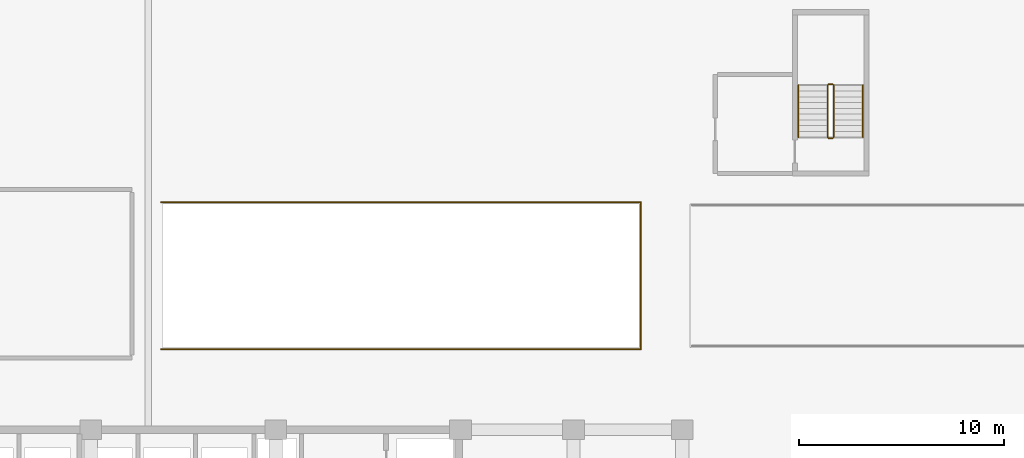
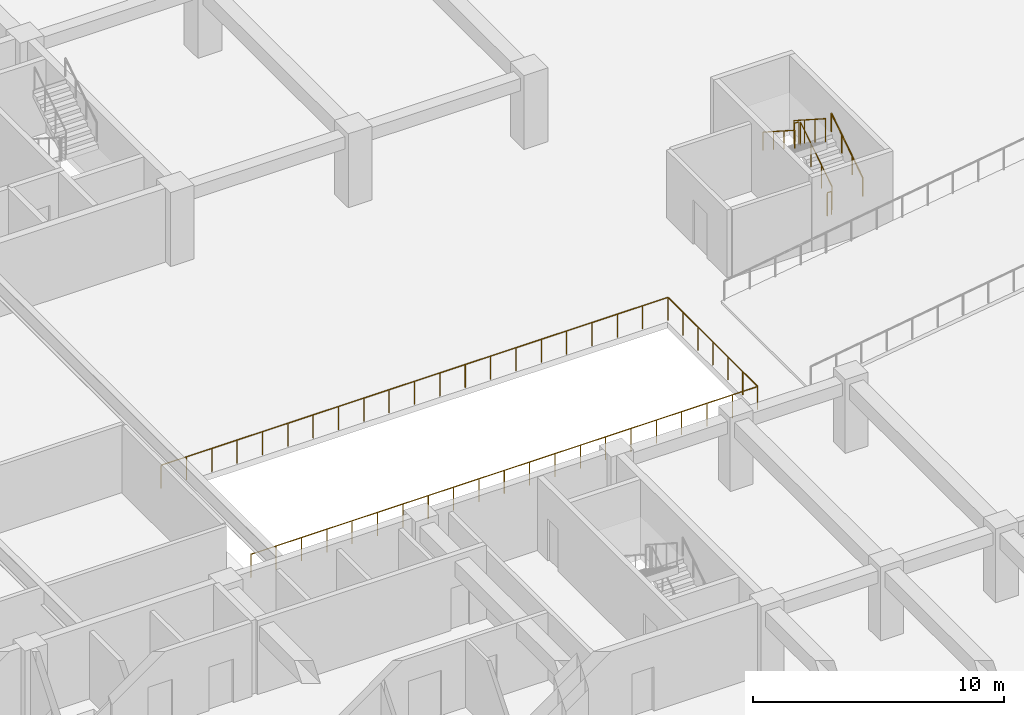
# One storey, part 20 of 23: 9 railings.
"""IFC4 building model written with IfcOpenShell, lengths in metres."""

from ifc_helpers import new_model, si_unit, direction, frame, origin, origin_2d, place, context, subcontext, project, spatial, circle, extrude, material, type_object, element, save


model = new_model("IFC4")

# Units and contexts
model_context = context("Model", 3, precision=1e-05, world=origin(), true_north=direction((0.0, 1.0)))
body_context = subcontext(model_context, "Body", "Model", "MODEL_VIEW")
ifc_project = project(units=[si_unit("LENGTHUNIT", "METRE"), si_unit("AREAUNIT", "SQUARE_METRE"), si_unit("VOLUMEUNIT", "CUBIC_METRE"), si_unit("PLANEANGLEUNIT", "RADIAN"), si_unit("MASSUNIT", "GRAM", prefix="KILO")], contexts=[model_context])

# Site, building, storey
site_placement = place(None, origin())
site = spatial("IfcSite", under=ifc_project, at=site_placement, CompositionType="ELEMENT")
building_placement = place(site_placement, origin())
building = spatial("IfcBuilding", under=site, at=building_placement, Name="Korimba Cascade Residences", CompositionType="ELEMENT")
storey_placement = place(building_placement, frame((0.0, 0.0, -3.60009765625)))
storey = spatial("IfcBuildingStorey", under=building, at=storey_placement, Name="B01", CompositionType="ELEMENT", Elevation=-3.60009765625)

# Railings
ifc_material_1 = material(Name="Painted Steel Stairwell Guardrail", Category="steel")
railing_type_1 = type_object("IfcRailingType", Name="RLG-ST-GD1150", PredefinedType="GUARDRAIL", material=ifc_material_1)
railing_1_placement = place(storey_placement, frame((136.27001953125, 44.64990234375, 0.18017578125)))
element("IfcRailing", 1, at=railing_1_placement, inside=storey, type_object=railing_type_1, Name="B01 ST-P2 stair guard 1", PredefinedType="GUARDRAIL", context=body_context, shape_type="SweptSolid", body=[
    extrude(circle(Radius=0.02392578125, at=origin_2d()), frame((0.0, 0.0, 1.1259765625), z_axis=(0.0, 0.841199657755, 0.540724639528), x_axis=(-1.0, 0.0, 0.0)), (0.0, 0.0, 1.0), 2.995849609375),
    extrude(circle(Radius=0.02099609375, at=origin_2d()), origin(), (0.0, 0.0, 1.0), 1.101806640625),
    extrude(circle(Radius=0.02099609375, at=origin_2d()), frame((0.0, 0.840087890625, 0.5400390625)), (0.0, 0.0, 1.0), 1.101806640625),
    extrude(circle(Radius=0.02099609375, at=origin_2d()), frame((0.0, 1.679931640625, 1.079833984375)), (0.0, 0.0, 1.0), 1.101806640625),
    extrude(circle(Radius=0.02099609375, at=origin_2d()), frame((0.0, 2.52001953125, 1.619873046875)), (0.0, 0.0, 1.0), 1.101806640625),
])
railing_2_placement = place(storey_placement, frame((136.219970703125, 47.219970703125, 1.800048828125)))
element("IfcRailing", 2, at=railing_2_placement, inside=storey, type_object=railing_type_1, Name="B01 ST-P2 stair guard 2", PredefinedType="GUARDRAIL", context=body_context, shape_type="SweptSolid", body=[
    extrude(circle(Radius=0.02392578125, at=origin_2d()), frame((0.0, 0.0, 1.1259765625), z_axis=(-1.0, 0.0, 0.0), x_axis=(0.0, -1.0, 0.0)), (0.0, 0.0, 1.0), 0.199951171875),
    extrude(circle(Radius=0.02099609375, at=origin_2d()), origin(), (0.0, 0.0, 1.0), 1.101806640625),
    extrude(circle(Radius=0.02099609375, at=origin_2d()), frame((-0.199951171875, 0.0, 0.0)), (0.0, 0.0, 1.0), 1.101806640625),
])
railing_3_placement = place(storey_placement, frame((135.969970703125, 47.169921875, 1.97998046875)))
element("IfcRailing", 3, at=railing_3_placement, inside=storey, type_object=railing_type_1, Name="B01 ST-P2 stair guard 3", PredefinedType="GUARDRAIL", context=body_context, shape_type="SweptSolid", body=[
    extrude(circle(Radius=0.02392578125, at=origin_2d()), frame((0.0, 0.0, 1.1259765625), z_axis=(0.0, -0.841162588446, 0.540782303519), x_axis=(1.0, 0.0, 0.0)), (0.0, 0.0, 1.0), 2.995849609375),
    extrude(circle(Radius=0.02099609375, at=origin_2d()), origin(), (0.0, 0.0, 1.0), 1.101806640625),
    extrude(circle(Radius=0.02099609375, at=origin_2d()), frame((0.0, -0.840087890625, 0.5400390625)), (0.0, 0.0, 1.0), 1.101806640625),
    extrude(circle(Radius=0.02099609375, at=origin_2d()), frame((0.0, -1.679931640625, 1.080078125)), (0.0, 0.0, 1.0), 1.101806640625),
    extrude(circle(Radius=0.02099609375, at=origin_2d()), frame((0.0, -2.52001953125, 1.6201171875)), (0.0, 0.0, 1.0), 1.101806640625),
])
railing_4_placement = place(storey_placement, frame((136.219970703125, 44.60009765625, 0.0)))
element("IfcRailing", 4, at=railing_4_placement, inside=storey, type_object=railing_type_1, Name="B01 ST-P2 stair guard 4", PredefinedType="GUARDRAIL", context=body_context, shape_type="SweptSolid", body=[
    extrude(circle(Radius=0.02392578125, at=origin_2d()), frame((0.0, 0.0, 1.1259765625), z_axis=(-1.0, 0.0, 0.0), x_axis=(0.0, -1.0, 0.0)), (0.0, 0.0, 1.0), 0.199951171875),
    extrude(circle(Radius=0.02099609375, at=origin_2d()), origin(), (0.0, 0.0, 1.0), 1.101806640625),
    extrude(circle(Radius=0.02099609375, at=origin_2d()), frame((-0.199951171875, 0.0, 0.0)), (0.0, 0.0, 1.0), 1.101806640625),
])
ifc_material_2 = material(Name="Brushed Stainless Steel Handrail", Category="steel")
railing_type_2 = type_object("IfcRailingType", Name="RLG-ST-HR900", PredefinedType="HANDRAIL", material=ifc_material_2)
railing_5_placement = place(storey_placement, frame((137.68994140625, 44.64990234375, 0.364013671875)))
element("IfcRailing", 5, at=railing_5_placement, inside=storey, type_object=railing_type_2, Name="B01 ST-P2 stair handrail 1", PredefinedType="HANDRAIL", context=body_context, shape_type="SweptSolid", body=[
    extrude(circle(Radius=0.02392578125, at=origin_2d()), frame((0.0, 0.0, 0.8759765625), z_axis=(0.0, 0.841199657755, 0.540724639528), x_axis=(-1.0, 0.0, 0.0)), (0.0, 0.0, 1.0), 2.995849609375),
    extrude(circle(Radius=0.02099609375, at=origin_2d()), origin(), (0.0, 0.0, 1.0), 0.851806640625),
    extrude(circle(Radius=0.02099609375, at=origin_2d()), frame((0.0, 0.840087890625, 0.5400390625)), (0.0, 0.0, 1.0), 0.851806640625),
    extrude(circle(Radius=0.02099609375, at=origin_2d()), frame((0.0, 1.679931640625, 1.079833984375)), (0.0, 0.0, 1.0), 0.851806640625),
    extrude(circle(Radius=0.02099609375, at=origin_2d()), frame((0.0, 2.52001953125, 1.619873046875)), (0.0, 0.0, 1.0), 0.851806640625),
])
railing_6_placement = place(storey_placement, frame((134.550048828125, 47.169921875, 2.163818359375)))
element("IfcRailing", 6, at=railing_6_placement, inside=storey, type_object=railing_type_2, Name="B01 ST-P2 stair handrail 2", PredefinedType="HANDRAIL", context=body_context, shape_type="SweptSolid", body=[
    extrude(circle(Radius=0.02392578125, at=origin_2d()), frame((0.0, 0.0, 0.8759765625), z_axis=(0.0, -0.841162588446, 0.540782303519), x_axis=(1.0, 0.0, 0.0)), (0.0, 0.0, 1.0), 2.995849609375),
    extrude(circle(Radius=0.02099609375, at=origin_2d()), origin(), (0.0, 0.0, 1.0), 0.851806640625),
    extrude(circle(Radius=0.02099609375, at=origin_2d()), frame((0.0, -0.840087890625, 0.5400390625)), (0.0, 0.0, 1.0), 0.851806640625),
    extrude(circle(Radius=0.02099609375, at=origin_2d()), frame((0.0, -1.679931640625, 1.080078125)), (0.0, 0.0, 1.0), 0.851806640625),
    extrude(circle(Radius=0.02099609375, at=origin_2d()), frame((0.0, -2.52001953125, 1.6201171875)), (0.0, 0.0, 1.0), 0.851806640625),
])
ifc_material_3 = material(Name="Painted Galvanised Steel Terrace Guardrail", Category="steel")
railing_type_3 = type_object("IfcRailingType", Name="RLG-TER-1150", PredefinedType="GUARDRAIL", material=ifc_material_3)
railing_7_placement = place(storey_placement, frame((103.52001953125, 34.320068359375, 0.0)))
element("IfcRailing", 7, at=railing_7_placement, inside=storey, type_object=railing_type_3, Name="B01 Ramp Well South Guardrail", PredefinedType="GUARDRAIL", context=body_context, shape_type="SweptSolid", body=[
    extrude(circle(Radius=0.02392578125, at=origin_2d()), frame((0.0, 0.0, 1.1259765625), z_axis=(1.0, 0.0, 0.0), x_axis=(0.0, 1.0, 0.0)), (0.0, 0.0, 1.0), 23.35986328125),
    extrude(circle(Radius=0.02099609375, at=origin_2d()), origin(), (0.0, 0.0, 1.0), 1.101806640625),
    extrude(circle(Radius=0.02099609375, at=origin_2d()), frame((1.16796875, 0.0, 0.0)), (0.0, 0.0, 1.0), 1.101806640625),
    extrude(circle(Radius=0.02099609375, at=origin_2d()), frame((2.3359375, 0.0, 0.0)), (0.0, 0.0, 1.0), 1.101806640625),
    extrude(circle(Radius=0.02099609375, at=origin_2d()), frame((3.50390625, 0.0, 0.0)), (0.0, 0.0, 1.0), 1.101806640625),
    extrude(circle(Radius=0.02099609375, at=origin_2d()), frame((4.671875, 0.0, 0.0)), (0.0, 0.0, 1.0), 1.101806640625),
    extrude(circle(Radius=0.02099609375, at=origin_2d()), frame((5.83984375, 0.0, 0.0)), (0.0, 0.0, 1.0), 1.101806640625),
    extrude(circle(Radius=0.02099609375, at=origin_2d()), frame((7.008056640625, 0.0, 0.0)), (0.0, 0.0, 1.0), 1.101806640625),
    extrude(circle(Radius=0.02099609375, at=origin_2d()), frame((8.176025390625, 0.0, 0.0)), (0.0, 0.0, 1.0), 1.101806640625),
    extrude(circle(Radius=0.02099609375, at=origin_2d()), frame((9.343994140625, 0.0, 0.0)), (0.0, 0.0, 1.0), 1.101806640625),
    extrude(circle(Radius=0.02099609375, at=origin_2d()), frame((10.511962890625, 0.0, 0.0)), (0.0, 0.0, 1.0), 1.101806640625),
    extrude(circle(Radius=0.02099609375, at=origin_2d()), frame((11.679931640625, 0.0, 0.0)), (0.0, 0.0, 1.0), 1.101806640625),
    extrude(circle(Radius=0.02099609375, at=origin_2d()), frame((12.847900390625, 0.0, 0.0)), (0.0, 0.0, 1.0), 1.101806640625),
    extrude(circle(Radius=0.02099609375, at=origin_2d()), frame((14.015869140625, 0.0, 0.0)), (0.0, 0.0, 1.0), 1.101806640625),
    extrude(circle(Radius=0.02099609375, at=origin_2d()), frame((15.183837890625, 0.0, 0.0)), (0.0, 0.0, 1.0), 1.101806640625),
    extrude(circle(Radius=0.02099609375, at=origin_2d()), frame((16.351806640625, 0.0, 0.0)), (0.0, 0.0, 1.0), 1.101806640625),
    extrude(circle(Radius=0.02099609375, at=origin_2d()), frame((17.52001953125, 0.0, 0.0)), (0.0, 0.0, 1.0), 1.101806640625),
    extrude(circle(Radius=0.02099609375, at=origin_2d()), frame((18.68798828125, 0.0, 0.0)), (0.0, 0.0, 1.0), 1.101806640625),
    extrude(circle(Radius=0.02099609375, at=origin_2d()), frame((19.85595703125, 0.0, 0.0)), (0.0, 0.0, 1.0), 1.101806640625),
    extrude(circle(Radius=0.02099609375, at=origin_2d()), frame((21.02392578125, 0.0, 0.0)), (0.0, 0.0, 1.0), 1.101806640625),
    extrude(circle(Radius=0.02099609375, at=origin_2d()), frame((22.19189453125, 0.0, 0.0)), (0.0, 0.0, 1.0), 1.101806640625),
    extrude(circle(Radius=0.02099609375, at=origin_2d()), frame((23.35986328125, 0.0, 0.0)), (0.0, 0.0, 1.0), 1.101806640625),
])
railing_8_placement = place(storey_placement, frame((103.52001953125, 41.47998046875, 0.0)))
element("IfcRailing", 8, at=railing_8_placement, inside=storey, type_object=railing_type_3, Name="B01 Ramp Well North Guardrail", PredefinedType="GUARDRAIL", context=body_context, shape_type="SweptSolid", body=[
    extrude(circle(Radius=0.02392578125, at=origin_2d()), frame((0.0, 0.0, 1.1259765625), z_axis=(1.0, 0.0, 0.0), x_axis=(0.0, 1.0, 0.0)), (0.0, 0.0, 1.0), 23.35986328125),
    extrude(circle(Radius=0.02099609375, at=origin_2d()), origin(), (0.0, 0.0, 1.0), 1.101806640625),
    extrude(circle(Radius=0.02099609375, at=origin_2d()), frame((1.16796875, 0.0, 0.0)), (0.0, 0.0, 1.0), 1.101806640625),
    extrude(circle(Radius=0.02099609375, at=origin_2d()), frame((2.3359375, 0.0, 0.0)), (0.0, 0.0, 1.0), 1.101806640625),
    extrude(circle(Radius=0.02099609375, at=origin_2d()), frame((3.50390625, 0.0, 0.0)), (0.0, 0.0, 1.0), 1.101806640625),
    extrude(circle(Radius=0.02099609375, at=origin_2d()), frame((4.671875, 0.0, 0.0)), (0.0, 0.0, 1.0), 1.101806640625),
    extrude(circle(Radius=0.02099609375, at=origin_2d()), frame((5.83984375, 0.0, 0.0)), (0.0, 0.0, 1.0), 1.101806640625),
    extrude(circle(Radius=0.02099609375, at=origin_2d()), frame((7.008056640625, 0.0, 0.0)), (0.0, 0.0, 1.0), 1.101806640625),
    extrude(circle(Radius=0.02099609375, at=origin_2d()), frame((8.176025390625, 0.0, 0.0)), (0.0, 0.0, 1.0), 1.101806640625),
    extrude(circle(Radius=0.02099609375, at=origin_2d()), frame((9.343994140625, 0.0, 0.0)), (0.0, 0.0, 1.0), 1.101806640625),
    extrude(circle(Radius=0.02099609375, at=origin_2d()), frame((10.511962890625, 0.0, 0.0)), (0.0, 0.0, 1.0), 1.101806640625),
    extrude(circle(Radius=0.02099609375, at=origin_2d()), frame((11.679931640625, 0.0, 0.0)), (0.0, 0.0, 1.0), 1.101806640625),
    extrude(circle(Radius=0.02099609375, at=origin_2d()), frame((12.847900390625, 0.0, 0.0)), (0.0, 0.0, 1.0), 1.101806640625),
    extrude(circle(Radius=0.02099609375, at=origin_2d()), frame((14.015869140625, 0.0, 0.0)), (0.0, 0.0, 1.0), 1.101806640625),
    extrude(circle(Radius=0.02099609375, at=origin_2d()), frame((15.183837890625, 0.0, 0.0)), (0.0, 0.0, 1.0), 1.101806640625),
    extrude(circle(Radius=0.02099609375, at=origin_2d()), frame((16.351806640625, 0.0, 0.0)), (0.0, 0.0, 1.0), 1.101806640625),
    extrude(circle(Radius=0.02099609375, at=origin_2d()), frame((17.52001953125, 0.0, 0.0)), (0.0, 0.0, 1.0), 1.101806640625),
    extrude(circle(Radius=0.02099609375, at=origin_2d()), frame((18.68798828125, 0.0, 0.0)), (0.0, 0.0, 1.0), 1.101806640625),
    extrude(circle(Radius=0.02099609375, at=origin_2d()), frame((19.85595703125, 0.0, 0.0)), (0.0, 0.0, 1.0), 1.101806640625),
    extrude(circle(Radius=0.02099609375, at=origin_2d()), frame((21.02392578125, 0.0, 0.0)), (0.0, 0.0, 1.0), 1.101806640625),
    extrude(circle(Radius=0.02099609375, at=origin_2d()), frame((22.19189453125, 0.0, 0.0)), (0.0, 0.0, 1.0), 1.101806640625),
    extrude(circle(Radius=0.02099609375, at=origin_2d()), frame((23.35986328125, 0.0, 0.0)), (0.0, 0.0, 1.0), 1.101806640625),
])
railing_9_placement = place(storey_placement, frame((126.8798828125, 34.320068359375, 0.0)))
element("IfcRailing", 9, at=railing_9_placement, inside=storey, type_object=railing_type_3, Name="B01 Ramp Well End Guardrail", PredefinedType="GUARDRAIL", context=body_context, shape_type="SweptSolid", body=[
    extrude(circle(Radius=0.02392578125, at=origin_2d()), frame((0.0, 0.0, 1.1259765625), z_axis=(0.0, 1.0, 0.0), x_axis=(-1.0, 0.0, 0.0)), (0.0, 0.0, 1.0), 7.159912109375),
    extrude(circle(Radius=0.02099609375, at=origin_2d()), origin(), (0.0, 0.0, 1.0), 1.101806640625),
    extrude(circle(Radius=0.02099609375, at=origin_2d()), frame((0.0, 1.193359375, 0.0)), (0.0, 0.0, 1.0), 1.101806640625),
    extrude(circle(Radius=0.02099609375, at=origin_2d()), frame((0.0, 2.38671875, 0.0)), (0.0, 0.0, 1.0), 1.101806640625),
    extrude(circle(Radius=0.02099609375, at=origin_2d()), frame((0.0, 3.580078125, 0.0)), (0.0, 0.0, 1.0), 1.101806640625),
    extrude(circle(Radius=0.02099609375, at=origin_2d()), frame((0.0, 4.773193359375, 0.0)), (0.0, 0.0, 1.0), 1.101806640625),
    extrude(circle(Radius=0.02099609375, at=origin_2d()), frame((0.0, 5.966552734375, 0.0)), (0.0, 0.0, 1.0), 1.101806640625),
    extrude(circle(Radius=0.02099609375, at=origin_2d()), frame((0.0, 7.159912109375, 0.0)), (0.0, 0.0, 1.0), 1.101806640625),
])

save(model, "model.ifc")
